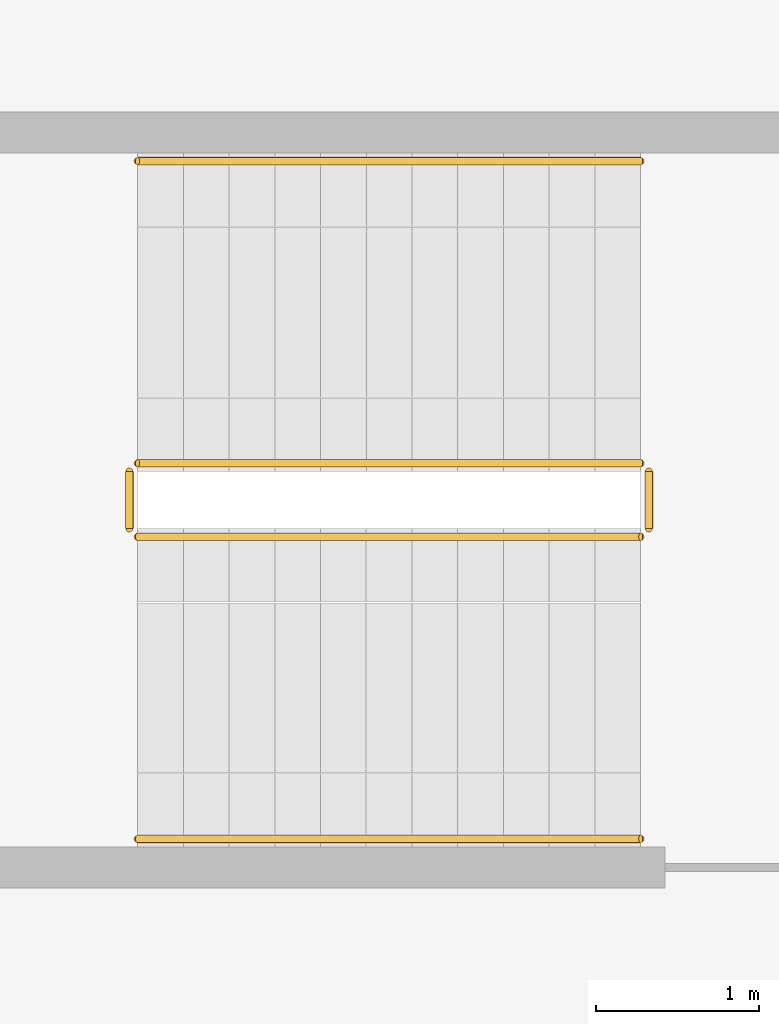
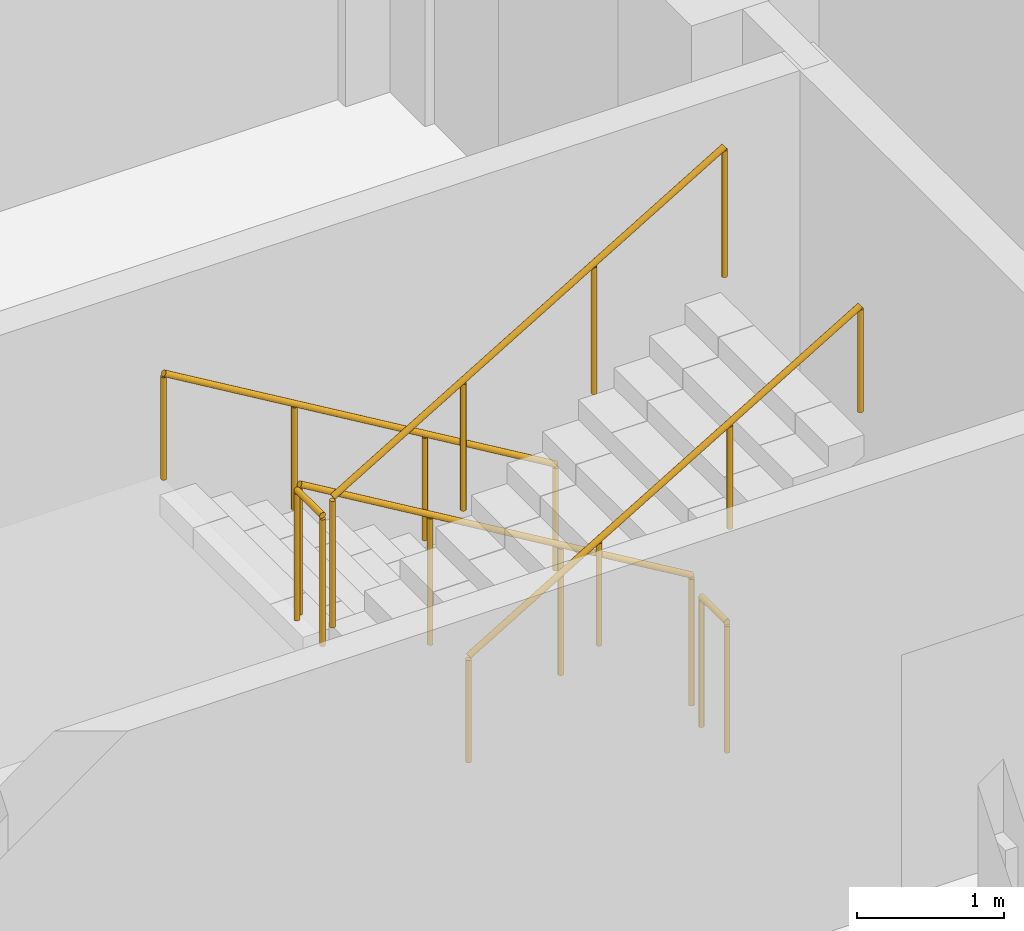
# One storey, part 15 of 15: 1 railing.
"""IFC4 building model written with IfcOpenShell, lengths in metres."""

from ifc_helpers import new_model, si_unit, direction, frame, origin, origin_2d, place, context, subcontext, project, spatial, circle, extrude, material, type_object, element, save


model = new_model("IFC4")

# Units and contexts
model_context = context("Model", 3, precision=1e-05, world=origin(), true_north=direction((0.0, 1.0)))
body_context = subcontext(model_context, "Body", "Model", "MODEL_VIEW")
ifc_project = project(units=[si_unit("LENGTHUNIT", "METRE"), si_unit("AREAUNIT", "SQUARE_METRE"), si_unit("VOLUMEUNIT", "CUBIC_METRE"), si_unit("PLANEANGLEUNIT", "RADIAN"), si_unit("MASSUNIT", "GRAM", prefix="KILO")], contexts=[model_context])

# Site, building, storey
site_placement = place(None, origin())
site = spatial("IfcSite", under=ifc_project, at=site_placement, CompositionType="ELEMENT")
building_placement = place(site_placement, origin())
building = spatial("IfcBuilding", under=site, at=building_placement, Name="Corbelhall Arena Tower", CompositionType="ELEMENT")
storey_placement = place(building_placement, frame((0.0, 0.0, 232.0)))
storey = spatial("IfcBuildingStorey", under=building, at=storey_placement, Name="L49", CompositionType="ELEMENT", Elevation=232.0)

# Railing
ifc_material = material(Name="Steel ASTM A500 Gr C", Category="steel")
railing_type = type_object("IfcRailingType", Name="IN-GD-1100", PredefinedType="GUARDRAIL", material=ifc_material)
railing_placement = place(storey_placement, frame((11.425048828125, 14.77490234375, 0.166748046875)))
element("IfcRailing", 1, at=railing_placement, inside=storey, type_object=railing_type, Name="L49 ST3 stair guards and handrails", PredefinedType="GUARDRAIL", context=body_context, shape_type="SweptSolid", body=[
    extrude(circle(Radius=0.02392578125, at=origin_2d()), frame((0.0, 0.0, 1.076171875), z_axis=(-0.859308565015, 0.0, 0.511457515432), x_axis=(0.0, -1.0, 0.0)), (0.0, 0.0, 1.0), 3.58447265625),
    extrude(circle(Radius=0.02392578125, at=origin_2d()), frame((-3.130126953125, -0.0498046875, 2.9091796875), z_axis=(0.0, -1.0, 0.0), x_axis=(1.0, 0.0, 0.0)), (0.0, 0.0, 1.0), 0.35009765625),
    extrude(circle(Radius=0.02392578125, at=origin_2d()), frame((-3.080078125, -0.449951171875, 3.076171875), z_axis=(0.859308565015, 0.0, 0.511457515432), x_axis=(0.0, 1.0, 0.0)), (0.0, 0.0, 1.0), 3.58447265625),
    extrude(circle(Radius=0.02392578125, at=origin_2d()), frame((0.050048828125, -0.0498046875, 0.9091796875), z_axis=(0.0, -1.0, 0.0), x_axis=(1.0, 0.0, 0.0)), (0.0, 0.0, 1.0), 0.35009765625),
    extrude(circle(Radius=0.02392578125, at=origin_2d()), frame((0.0, 1.85009765625, 0.8759765625), z_axis=(-0.859308565015, 0.0, 0.511457515432), x_axis=(0.0, -1.0, 0.0)), (0.0, 0.0, 1.0), 3.58447265625),
    extrude(circle(Radius=0.02392578125, at=origin_2d()), frame((-3.080078125, -2.2998046875, 2.8759765625), z_axis=(0.859308565015, 0.0, 0.511457515432), x_axis=(0.0, 1.0, 0.0)), (0.0, 0.0, 1.0), 3.58447265625),
    extrude(circle(Radius=0.02099609375, at=origin_2d()), origin(), (0.0, 0.0, 1.0), 1.052001953125),
    extrude(circle(Radius=0.02099609375, at=origin_2d()), frame((-1.026611328125, 0.0, 0.611083984375)), (0.0, 0.0, 1.0), 1.052001953125),
    extrude(circle(Radius=0.02099609375, at=origin_2d()), frame((-2.053466796875, 0.0, 1.22216796875)), (0.0, 0.0, 1.0), 1.052001953125),
    extrude(circle(Radius=0.02099609375, at=origin_2d()), frame((-3.080078125, 0.0, 1.833251953125)), (0.0, 0.0, 1.0), 1.052001953125),
    extrude(circle(Radius=0.02099609375, at=origin_2d()), frame((-3.130126953125, -0.0498046875, 1.833251953125)), (0.0, 0.0, 1.0), 1.052001953125),
    extrude(circle(Radius=0.02099609375, at=origin_2d()), frame((-3.130126953125, -0.39990234375, 1.833251953125)), (0.0, 0.0, 1.0), 1.052001953125),
    extrude(circle(Radius=0.02099609375, at=origin_2d()), frame((-3.080078125, -0.449951171875, 2.0)), (0.0, 0.0, 1.0), 1.052001953125),
    extrude(circle(Radius=0.02099609375, at=origin_2d()), frame((-2.053466796875, -0.449951171875, 2.611083984375)), (0.0, 0.0, 1.0), 1.052001953125),
    extrude(circle(Radius=0.02099609375, at=origin_2d()), frame((-1.026611328125, -0.449951171875, 3.22216796875)), (0.0, 0.0, 1.0), 1.052001953125),
    extrude(circle(Radius=0.02099609375, at=origin_2d()), frame((0.0, -0.449951171875, 3.833251953125)), (0.0, 0.0, 1.0), 1.052001953125),
    extrude(circle(Radius=0.02099609375, at=origin_2d()), frame((0.050048828125, -0.0498046875, -0.166748046875)), (0.0, 0.0, 1.0), 1.052001953125),
    extrude(circle(Radius=0.02099609375, at=origin_2d()), frame((0.050048828125, -0.39990234375, -0.166748046875)), (0.0, 0.0, 1.0), 1.052001953125),
    extrude(circle(Radius=0.02099609375, at=origin_2d()), frame((0.0, 1.85009765625, 0.0)), (0.0, 0.0, 1.0), 0.851806640625),
    extrude(circle(Radius=0.02099609375, at=origin_2d()), frame((-1.026611328125, 1.85009765625, 0.611083984375)), (0.0, 0.0, 1.0), 0.851806640625),
    extrude(circle(Radius=0.02099609375, at=origin_2d()), frame((-2.053466796875, 1.85009765625, 1.22216796875)), (0.0, 0.0, 1.0), 0.851806640625),
    extrude(circle(Radius=0.02099609375, at=origin_2d()), frame((-3.080078125, 1.85009765625, 1.833251953125)), (0.0, 0.0, 1.0), 0.851806640625),
    extrude(circle(Radius=0.02099609375, at=origin_2d()), frame((-3.080078125, -2.2998046875, 2.0)), (0.0, 0.0, 1.0), 0.851806640625),
    extrude(circle(Radius=0.02099609375, at=origin_2d()), frame((-2.053466796875, -2.2998046875, 2.611083984375)), (0.0, 0.0, 1.0), 0.851806640625),
    extrude(circle(Radius=0.02099609375, at=origin_2d()), frame((-1.026611328125, -2.2998046875, 3.22216796875)), (0.0, 0.0, 1.0), 0.851806640625),
    extrude(circle(Radius=0.02099609375, at=origin_2d()), frame((0.0, -2.2998046875, 3.833251953125)), (0.0, 0.0, 1.0), 0.851806640625),
])

save(model, "model.ifc")
